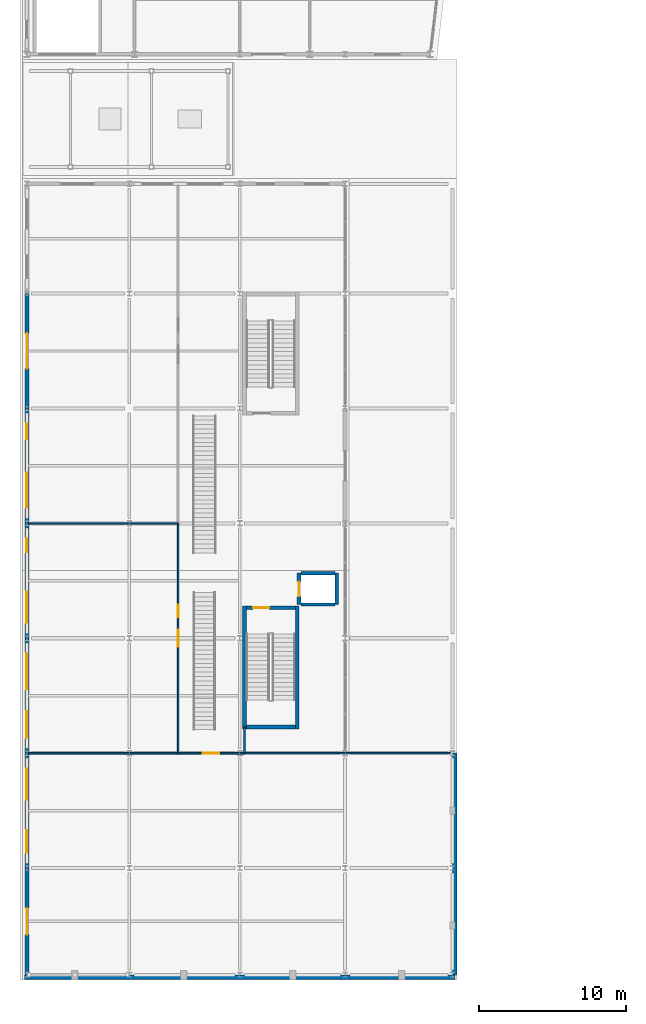
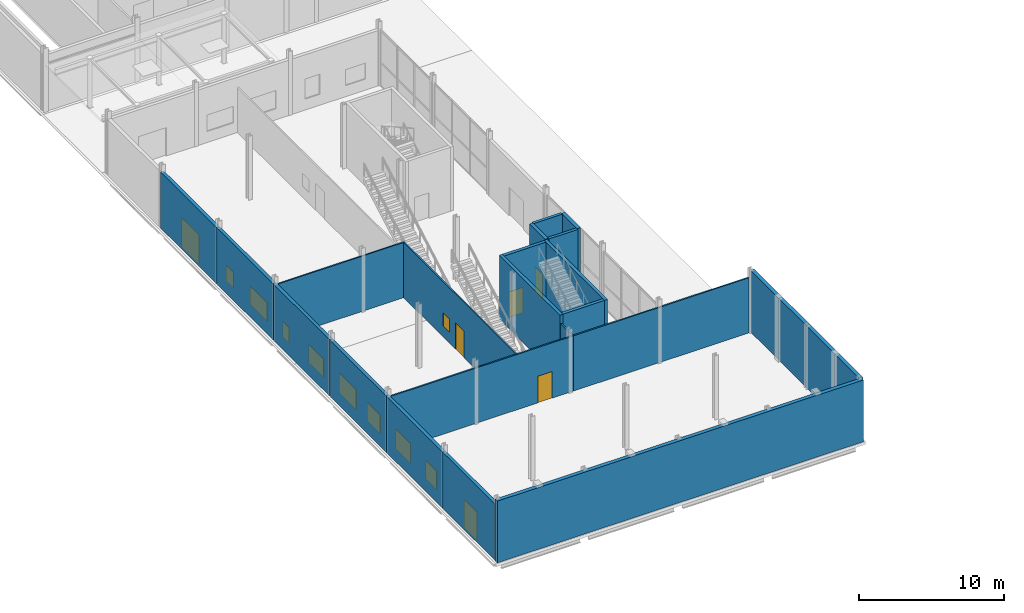
# One storey, part 63 of 83: 21 walls, 9 windows, 6 doors, 15 openings.
"""IFC4 building model written with IfcOpenShell, lengths in metres."""

from ifc_helpers import new_model, si_unit, direction, frame, frame_2d, origin, place, context, subcontext, project, spatial, rectangle, extrude, material, layer, layer_set, type_object, element, fill, save


model = new_model("IFC4")

# Units and contexts
model_context = context("Model", 3, precision=1e-05, world=origin(), true_north=direction((0.0, 1.0)))
body_context = subcontext(model_context, "Body", "Model", "MODEL_VIEW")
ifc_project = project(units=[si_unit("LENGTHUNIT", "METRE"), si_unit("AREAUNIT", "SQUARE_METRE"), si_unit("VOLUMEUNIT", "CUBIC_METRE"), si_unit("PLANEANGLEUNIT", "RADIAN"), si_unit("MASSUNIT", "GRAM", prefix="KILO")], contexts=[model_context])

# Site, building, storey
site_placement = place(None, origin())
site = spatial("IfcSite", under=ifc_project, at=site_placement, CompositionType="ELEMENT")
building_placement = place(site_placement, origin())
building = spatial("IfcBuilding", under=site, at=building_placement, Name="Quillay Park Conservatory", CompositionType="ELEMENT")
storey_placement = place(building_placement, origin())
storey = spatial("IfcBuildingStorey", under=building, at=storey_placement, Name="L00", CompositionType="ELEMENT", Elevation=0.0)

# Wall
ifc_material_1 = material(Name="Steel-Stud Acoustic Gypsum Board Partition", Category="steel")
ifc_layer_1 = layer(ifc_material_1, 0.10498046875)
ifc_layer_set_1 = layer_set([ifc_layer_1], Name="ACOUSTIC GYPSUM PARTITION 105 (Steel-Stud Acoustic Gypsum Board Partition)")
wall_type_1 = type_object("IfcWallType", Name="ACOUSTIC GYPSUM PARTITION 105", PredefinedType="PARTITIONING", material=ifc_layer_set_1)
wall_1_placement = place(storey_placement, frame((15.320068359375, 15.60009765625, 0.0), z_axis=(0.0, 0.0, 1.0), x_axis=(0.0, 1.0, 0.0)))
element("IfcWall", 1, at=wall_1_placement, inside=storey, type_object=wall_type_1, Name="L00 V3 Core South-West Closure", PredefinedType="PARTITIONING", context=body_context, shape_type="SweptSolid", body=[
    extrude(rectangle(XDim=1.77978515625, YDim=0.10498046875, at=frame_2d((0.889892578125, 0.0))), origin(), (0.0, 0.0, 1.0), 4.660888671875),
])

# Wall, openings, window, door
wall_2_placement = place(storey_placement, frame((10.820068359375, 15.60009765625, 0.0), z_axis=(0.0, 0.0, 1.0), x_axis=(0.0, 1.0, 0.0)))
wall_2 = element("IfcWall", 2, at=wall_2_placement, inside=storey, type_object=wall_type_1, Name="L00 Cafe East Wall", PredefinedType="PARTITIONING", context=body_context, shape_type="SweptSolid", body=[
    extrude(rectangle(XDim=15.599853515625, YDim=0.10498046875, at=frame_2d((7.7998046875, 0.0))), origin(), (0.0, 0.0, 1.0), 4.660888671875),
])
opening_1_placement = place(wall_2_placement, frame((7.2099609375, 0.0, 0.0)))
opening_1 = element("IfcOpeningElement", 3, at=opening_1_placement, cuts=wall_2, Name="Opening D-RM22", PredefinedType="OPENING", context=body_context, shape_type="SweptSolid", body=[
    extrude(rectangle(XDim=1.179931640625, YDim=2.25, at=frame_2d((0.58984375, 1.125))), frame((0.0, 0.052490234375, 0.0), z_axis=(0.0, -1.0, 0.0), x_axis=(1.0, 0.0, 0.0)), (0.0, 0.0, 1.0), 0.10498046875),
])
opening_2_placement = place(wall_2_placement, frame((9.239990234375, 0.0, 0.919921875)))
opening_2 = element("IfcOpeningElement", 4, at=opening_2_placement, cuts=wall_2, Name="Opening W-IN01", PredefinedType="OPENING", context=body_context, shape_type="SweptSolid", body=[
    extrude(rectangle(XDim=0.85009765625, YDim=1.10009765625, at=frame_2d((0.425048828125, 0.550048828125))), frame((0.0, 0.052490234375, 0.0), z_axis=(0.0, -1.0, 0.0), x_axis=(1.0, 0.0, 0.0)), (0.0, 0.0, 1.0), 0.10498046875),
])
ifc_material_2 = material(Name="Low-E Double Glazing (Laminated Tempered)", Category="glass")
window_type_1 = type_object("IfcWindowType", Name="OPERABLE VENT WINDOW 850 X1100", PartitioningType="SINGLE_PANEL", PredefinedType="WINDOW", material=ifc_material_2)
window_1_placement = place(opening_2_placement, origin())
window_1 = element("IfcWindow", 5, at=window_1_placement, inside=storey, type_object=window_type_1, Name="L00 Laboratory Vision Panel 001", OverallHeight=1.10009765625, OverallWidth=0.85009765625, PartitioningType="SINGLE_PANEL", PredefinedType="WINDOW", context=body_context, shape_type="SweptSolid", body=[
    extrude(rectangle(XDim=0.85009765625, YDim=1.10009765625, at=frame_2d((0.425048828125, 0.550048828125))), frame((0.0, 0.030029296875, 0.0), z_axis=(0.0, -1.0, 0.0), x_axis=(1.0, 0.0, 0.0)), (0.0, 0.0, 1.0), 0.06005859375),
])
fill(opening_2, window_1)
ifc_material_3 = material(Name="Thermally Broken Anodised Aluminium 6063-T6", Category="aluminium")
door_type_1 = type_object("IfcDoorType", Name="SINGLE SWING DOOR 1180 X2250", OperationType="NOTDEFINED", PredefinedType="DOOR", material=ifc_material_3)
door_1_placement = place(opening_1_placement, origin())
door_1 = element("IfcDoor", 6, at=door_1_placement, inside=storey, type_object=door_type_1, Name="L00 Door to Botanical Court Cafe", OperationType="SINGLE_SWING_RIGHT", OverallHeight=2.25, OverallWidth=1.179931640625, PredefinedType="DOOR", context=body_context, shape_type="SweptSolid", body=[
    extrude(rectangle(XDim=1.179931640625, YDim=2.25, at=frame_2d((0.58984375, 1.125))), frame((0.0, 0.02490234375, 0.0), z_axis=(0.0, -1.0, 0.0), x_axis=(1.0, 0.0, 0.0)), (0.0, 0.0, 1.0), 0.050048828125),
])
fill(opening_1, door_1)

# Walls
ifc_material_4 = material(Name="Steel-Stud Acoustic Gypsum Board Partition", Category="steel")
ifc_layer_2 = layer(ifc_material_4, 0.110107421875)
ifc_layer_set_2 = layer_set([ifc_layer_2], Name="ACOUSTIC GYPSUM PARTITION 110 (Steel-Stud Acoustic Gypsum Board Partition)")
wall_type_2 = type_object("IfcWallType", Name="ACOUSTIC GYPSUM PARTITION 110", PredefinedType="PARTITIONING", material=ifc_layer_set_2)
wall_3_placement = place(storey_placement, frame((0.64990234375, 31.199951171875, 0.0), z_axis=(0.0, 0.0, 1.0), x_axis=(1.0, 0.0, 0.0)))
element("IfcWall", 7, at=wall_3_placement, inside=storey, type_object=wall_type_2, Name="L00 Cafe-Arrival Divider", PredefinedType="PARTITIONING", context=body_context, shape_type="SweptSolid", body=[
    extrude(rectangle(XDim=10.170166015625, YDim=0.110107421875, at=frame_2d((5.0849609375, 0.0))), origin(), (0.0, 0.0, 1.0), 4.660888671875),
])
ifc_material_5 = material(Name="Steel-Stud Acoustic Gypsum Board Partition", Category="steel")
ifc_layer_3 = layer(ifc_material_5, 0.114990234375)
ifc_layer_set_3 = layer_set([ifc_layer_3], Name="ACOUSTIC GYPSUM PARTITION 115 (Steel-Stud Acoustic Gypsum Board Partition)")
wall_type_3 = type_object("IfcWallType", Name="ACOUSTIC GYPSUM PARTITION 115", PredefinedType="PARTITIONING", material=ifc_layer_set_3)
wall_4_placement = place(storey_placement, frame((29.300537109375, 15.60009765625, 0.0), z_axis=(0.0, 0.0, 1.0), x_axis=(-1.0, 0.0, 0.0)))
element("IfcWall", 8, at=wall_4_placement, inside=storey, type_object=wall_type_3, Name="L00 Shop North Wall E", PredefinedType="PARTITIONING", context=body_context, shape_type="SweptSolid", body=[
    extrude(rectangle(XDim=13.98046875, YDim=0.114990234375, at=frame_2d((6.990234375, 0.0))), origin(), (0.0, 0.0, 1.0), 4.660888671875),
])

# Wall, opening, door
ifc_material_6 = material(Name="Steel-Stud Acoustic Gypsum Board Partition", Category="steel")
ifc_layer_4 = layer(ifc_material_6, 0.1201171875)
ifc_layer_set_4 = layer_set([ifc_layer_4], Name="ACOUSTIC GYPSUM PARTITION 120 (Steel-Stud Acoustic Gypsum Board Partition)")
wall_type_4 = type_object("IfcWallType", Name="ACOUSTIC GYPSUM PARTITION 120", PredefinedType="PARTITIONING", material=ifc_layer_set_4)
wall_5_placement = place(storey_placement, frame((0.64990234375, 15.60009765625, 0.0), z_axis=(0.0, 0.0, 1.0), x_axis=(1.0, 0.0, 0.0)))
wall_5 = element("IfcWall", 9, at=wall_5_placement, inside=storey, type_object=wall_type_4, Name="L00 Shop North Wall W", PredefinedType="PARTITIONING", context=body_context, shape_type="SweptSolid", body=[
    extrude(rectangle(XDim=14.670166015625, YDim=0.1201171875, at=frame_2d((7.3349609375, 0.0))), origin(), (0.0, 0.0, 1.0), 4.660888671875),
])
opening_3_placement = place(wall_5_placement, frame((11.840087890625, 0.0, 0.0)))
opening_3 = element("IfcOpeningElement", 10, at=opening_3_placement, cuts=wall_5, Name="Opening D-RM21", PredefinedType="OPENING", context=body_context, shape_type="SweptSolid", body=[
    extrude(rectangle(XDim=1.1201171875, YDim=2.25, at=frame_2d((0.56005859375, 1.125))), frame((0.0, 0.06005859375, 0.0), z_axis=(0.0, -1.0, 0.0), x_axis=(1.0, 0.0, 0.0)), (0.0, 0.0, 1.0), 0.1201171875),
])
ifc_material_7 = material(Name="Thermally Broken Anodised Aluminium 6063-T6", Category="aluminium")
door_type_2 = type_object("IfcDoorType", Name="SINGLE SWING DOOR 1120 X2250", OperationType="NOTDEFINED", PredefinedType="DOOR", material=ifc_material_7)
door_2_placement = place(opening_3_placement, origin())
door_2 = element("IfcDoor", 11, at=door_2_placement, inside=storey, type_object=door_type_2, Name="L00 Door to Park Botanical Shop", OperationType="SINGLE_SWING_LEFT", OverallHeight=2.25, OverallWidth=1.1201171875, PredefinedType="DOOR", context=body_context, shape_type="SweptSolid", body=[
    extrude(rectangle(XDim=1.1201171875, YDim=2.25, at=frame_2d((0.56005859375, 1.125))), frame((0.0, 0.02490234375, 0.0), z_axis=(0.0, -1.0, 0.0), x_axis=(1.0, 0.0, 0.0)), (0.0, 0.0, 1.0), 0.050048828125),
])
fill(opening_3, door_2)

# Walls
ifc_material_8 = material(Name="Concrete C35/45 (NCh170 Concrete C35/45)", Category="concrete")
ifc_layer_5 = layer(ifc_material_8, 0.22509765625)
ifc_layer_set_5 = layer_set([ifc_layer_5], Name="CORE SHEAR WALL 225 (Concrete C35/45 (NCh170 Concrete C35/45))")
wall_type_5 = type_object("IfcWallType", Name="CORE SHEAR WALL 225", PredefinedType="SHEAR", material=ifc_layer_set_5)
for number, where, z_axis, x_axis, name in (
    (12, (19.14990234375, 25.6875, 0.0), (0.0, 0.0, 1.0), (1.0, 0.0, 0.0), "L00 Core Shear Wall WL-LFV1S-L00"),
    (13, (19.14990234375, 27.8125, 0.0), (0.0, 0.0, 1.0), (1.0, 0.0, 0.0), "L00 Core Shear Wall WL-LFV1N-L00"),
):
    element("IfcWall", number, at=place(storey_placement, frame(where, z_axis=z_axis, x_axis=x_axis)), inside=storey, type_object=wall_type_5, Name=name, PredefinedType="SHEAR", context=body_context, shape_type="SweptSolid", body=[
        extrude(rectangle(XDim=2.300048828125, YDim=0.22509765625, at=frame_2d((1.14990234375, 0.0))), origin(), (0.0, 0.0, 1.0), 5.39990234375),
    ])
ifc_material_9 = material(Name="Concrete C40/50 (NCh170 Concrete C40/50)", Category="concrete")
ifc_layer_6 = layer(ifc_material_9, 0.25)
ifc_layer_set_6 = layer_set([ifc_layer_6], Name="CORE SHEAR WALL 250 (Concrete C40/50 (NCh170 Concrete C40/50))")
wall_type_6 = type_object("IfcWallType", Name="CORE SHEAR WALL 250", PredefinedType="SHEAR", material=ifc_layer_set_6)
for number, where, z_axis, x_axis, name in (
    (14, (15.324951171875, 17.25, 0.0), (0.0, 0.0, 1.0), (0.0, 1.0, 0.0), "L00 Core Shear Wall WL-V1W-L00"),
    (15, (18.89501953125, 17.25, 0.0), (0.0, 0.0, 1.0), (0.0, 1.0, 0.0), "L00 Core Shear Wall WL-V1E-L00"),
):
    element("IfcWall", number, at=place(storey_placement, frame(where, z_axis=z_axis, x_axis=x_axis)), inside=storey, type_object=wall_type_6, Name=name, PredefinedType="SHEAR", context=body_context, shape_type="SweptSolid", body=[
        extrude(rectangle(XDim=8.35009765625, YDim=0.25, at=frame_2d((4.175048828125, 0.0))), origin(), (0.0, 0.0, 1.0), 5.39990234375),
    ])
wall_6_placement = place(storey_placement, frame((15.449951171875, 17.375, 0.0), z_axis=(0.0, 0.0, 1.0), x_axis=(1.0, 0.0, 0.0)))
element("IfcWall", 16, at=wall_6_placement, inside=storey, type_object=wall_type_6, Name="L00 Core Shear Wall WL-V1S-L00", PredefinedType="SHEAR", context=body_context, shape_type="SweptSolid", body=[
    extrude(rectangle(XDim=3.320068359375, YDim=0.25, at=frame_2d((1.66015625, 0.0))), origin(), (0.0, 0.0, 1.0), 5.39990234375),
])

# Wall, opening, door
wall_7_placement = place(storey_placement, frame((15.449951171875, 25.47509765625, 0.0), z_axis=(0.0, 0.0, 1.0), x_axis=(1.0, 0.0, 0.0)))
wall_7 = element("IfcWall", 17, at=wall_7_placement, inside=storey, type_object=wall_type_6, Name="L00 Core Shear Wall WL-V1D-L00", PredefinedType="SHEAR", context=body_context, shape_type="SweptSolid", body=[
    extrude(rectangle(XDim=3.320068359375, YDim=0.25, at=frame_2d((1.66015625, 0.0))), origin(), (0.0, 0.0, 1.0), 5.39990234375),
])
opening_4_placement = place(wall_7_placement, frame((0.449951171875, 0.0, 0.0)))
opening_4 = element("IfcOpeningElement", 18, at=opening_4_placement, cuts=wall_7, Name="Opening D-ST01", PredefinedType="OPENING", context=body_context, shape_type="SweptSolid", body=[
    extrude(rectangle(XDim=1.10009765625, YDim=2.14990234375, at=frame_2d((0.550048828125, 1.074951171875))), frame((0.0, 0.125, 0.0), z_axis=(0.0, -1.0, 0.0), x_axis=(1.0, 0.0, 0.0)), (0.0, 0.0, 1.0), 0.25),
])
ifc_material_10 = material(Name="Steel ASTM A572 Grade 50", Category="steel")
door_type_3 = type_object("IfcDoorType", Name="FIRE RATED STAIR DOOR 1100 X2150", OperationType="NOTDEFINED", PredefinedType="DOOR", material=ifc_material_10)
door_3_placement = place(opening_4_placement, origin())
door_3 = element("IfcDoor", 19, at=door_3_placement, inside=storey, type_object=door_type_3, Name="L00 Visitor Stair ST-V1 Door", OperationType="SINGLE_SWING_LEFT", OverallHeight=2.14990234375, OverallWidth=1.10009765625, PredefinedType="DOOR", context=body_context, shape_type="SweptSolid", body=[
    extrude(rectangle(XDim=1.10009765625, YDim=2.14990234375, at=frame_2d((0.550048828125, 1.074951171875))), frame((0.0, 0.02490234375, 0.0), z_axis=(0.0, -1.0, 0.0), x_axis=(1.0, 0.0, 0.0)), (0.0, 0.0, 1.0), 0.050048828125),
])
fill(opening_4, door_3)

# Wall
wall_8_placement = place(storey_placement, frame((21.574951171875, 25.675048828125, 0.0), z_axis=(0.0, 0.0, 1.0), x_axis=(0.0, 1.0, 0.0)))
element("IfcWall", 20, at=wall_8_placement, inside=storey, type_object=wall_type_6, Name="L00 Core Shear Wall WL-LFV1B-L00", PredefinedType="SHEAR", context=body_context, shape_type="SweptSolid", body=[
    extrude(rectangle(XDim=2.14990234375, YDim=0.25, at=frame_2d((1.074951171875, 0.0))), origin(), (0.0, 0.0, 1.0), 5.39990234375),
])

# Wall, opening, door
wall_9_placement = place(storey_placement, frame((19.02490234375, 25.675048828125, 0.0), z_axis=(0.0, 0.0, 1.0), x_axis=(0.0, 1.0, 0.0)))
wall_9 = element("IfcWall", 21, at=wall_9_placement, inside=storey, type_object=wall_type_6, Name="L00 Core Shear Wall WL-LFV1F-L00", PredefinedType="SHEAR", context=body_context, shape_type="SweptSolid", body=[
    extrude(rectangle(XDim=2.14990234375, YDim=0.25, at=frame_2d((1.074951171875, 0.0))), origin(), (0.0, 0.0, 1.0), 5.39990234375),
])
opening_5_placement = place(wall_9_placement, frame((0.574951171875, 0.0, 0.0)))
opening_5 = element("IfcOpeningElement", 22, at=opening_5_placement, cuts=wall_9, Name="Opening LD04", PredefinedType="OPENING", context=body_context, shape_type="SweptSolid", body=[
    extrude(rectangle(XDim=1.0, YDim=2.10009765625, at=frame_2d((0.5, 1.050048828125))), frame((0.0, 0.125, 0.0), z_axis=(0.0, -1.0, 0.0), x_axis=(1.0, 0.0, 0.0)), (0.0, 0.0, 1.0), 0.25),
])
ifc_material_11 = material(Name="Steel ASTM A572 Grade 50", Category="steel")
door_type_4 = type_object("IfcDoorType", Name="LIFT LANDING SLIDING DOOR 1000 X2100", OperationType="NOTDEFINED", PredefinedType="DOOR", material=ifc_material_11)
door_4_placement = place(opening_5_placement, origin())
door_4 = element("IfcDoor", 23, at=door_4_placement, inside=storey, type_object=door_type_4, Name="L00 LF-V1 Lift Landing Door LD04", OperationType="SLIDING_TO_LEFT", OverallHeight=2.10009765625, OverallWidth=1.0, PredefinedType="DOOR", context=body_context, shape_type="SweptSolid", body=[
    extrude(rectangle(XDim=1.0, YDim=2.10009765625, at=frame_2d((0.5, 1.050048828125))), frame((0.0, 0.02490234375, 0.0), z_axis=(0.0, -1.0, 0.0), x_axis=(1.0, 0.0, 0.0)), (0.0, 0.0, 1.0), 0.050048828125),
])
fill(opening_5, door_4)

ifc_material_12 = material(Name="Glass-Fibre Reinforced Concrete (GRC) Cladding", Category="concrete")
ifc_layer_7 = layer(ifc_material_12, 0.260009765625)
ifc_layer_set_7 = layer_set([ifc_layer_7], Name="EXTERIOR SOLID WALL 260 (Glass-Fibre Reinforced Concrete (GRC) Cladding)")
wall_type_7 = type_object("IfcWallType", Name="EXTERIOR SOLID WALL 260", PredefinedType="SOLIDWALL", material=ifc_layer_set_7)
wall_10_placement = place(storey_placement, frame((0.550048828125, 0.550048828125, 0.0), z_axis=(0.0, 0.0, 1.0), x_axis=(0.0, 1.0, 0.0)))
wall_10 = element("IfcWall", 24, at=wall_10_placement, inside=storey, type_object=wall_type_7, Name="L00 External Wall WL-EXT-V3W-L00-0", PredefinedType="SOLIDWALL", context=body_context, shape_type="SweptSolid", body=[
    extrude(rectangle(XDim=7.25, YDim=0.260009765625, at=frame_2d((3.625, 0.0))), origin(), (0.0, 0.0, 1.0), 4.737060546875),
])
opening_6_placement = place(wall_10_placement, frame((2.72509765625, 0.0, 0.0)))
opening_6 = element("IfcOpeningElement", 25, at=opening_6_placement, cuts=wall_10, Name="Opening D-EX01", PredefinedType="OPENING", context=body_context, shape_type="SweptSolid", body=[
    extrude(rectangle(XDim=1.800048828125, YDim=2.39990234375, at=frame_2d((0.89990234375, 1.199951171875))), frame((0.0, 0.1298828125, 0.0), z_axis=(0.0, -1.0, 0.0), x_axis=(1.0, 0.0, 0.0)), (0.0, 0.0, 1.0), 0.260009765625),
])
ifc_material_13 = material(Name="Thermally Broken Anodised Aluminium 6063-T6", Category="aluminium")
door_type_5 = type_object("IfcDoorType", Name="PEDESTRIAN EXIT DOOR 1800 X2400", OperationType="NOTDEFINED", PredefinedType="DOOR", material=ifc_material_13)
door_5_placement = place(opening_6_placement, origin())
door_5 = element("IfcDoor", 26, at=door_5_placement, inside=storey, type_object=door_type_5, Name="Final Pedestrian Exit D-EX01", OperationType="DOUBLE_DOOR_SINGLE_SWING", OverallHeight=2.39990234375, OverallWidth=1.800048828125, PredefinedType="DOOR", context=body_context, shape_type="SweptSolid", body=[
    extrude(rectangle(XDim=1.800048828125, YDim=2.39990234375, at=frame_2d((0.89990234375, 1.199951171875))), frame((0.0, 0.02490234375, 0.0), z_axis=(0.0, -1.0, 0.0), x_axis=(1.0, 0.0, 0.0)), (0.0, 0.0, 1.0), 0.050048828125),
])
fill(opening_6, door_5)

# Wall, openings, windows
wall_11_placement = place(storey_placement, frame((0.550048828125, 7.800048828125, 0.0), z_axis=(0.0, 0.0, 1.0), x_axis=(0.0, 1.0, 0.0)))
wall_11 = element("IfcWall", 27, at=wall_11_placement, inside=storey, type_object=wall_type_7, Name="L00 External Wall WL-EXT-V3W-L00-1", PredefinedType="SOLIDWALL", context=body_context, shape_type="SweptSolid", body=[
    extrude(rectangle(XDim=7.800048828125, YDim=0.260009765625, at=frame_2d((3.89990234375, 0.0))), origin(), (0.0, 0.0, 1.0), 4.737060546875),
])
opening_7_placement = place(wall_11_placement, frame((1.050048828125, 0.0, 0.919921875)))
opening_7 = element("IfcOpeningElement", 28, at=opening_7_placement, cuts=wall_11, Name="Opening W-08", PredefinedType="OPENING", context=body_context, shape_type="SweptSolid", body=[
    extrude(rectangle(XDim=1.5, YDim=1.550048828125, at=frame_2d((0.75, 0.77490234375))), frame((0.0, 0.1298828125, 0.0), z_axis=(0.0, -1.0, 0.0), x_axis=(1.0, 0.0, 0.0)), (0.0, 0.0, 1.0), 0.260009765625),
])
opening_8_placement = place(wall_11_placement, frame((4.64990234375, 0.0, 0.919921875)))
opening_8 = element("IfcOpeningElement", 29, at=opening_8_placement, cuts=wall_11, Name="Opening W-15", PredefinedType="OPENING", context=body_context, shape_type="SweptSolid", body=[
    extrude(rectangle(XDim=2.10009765625, YDim=1.699951171875, at=frame_2d((1.050048828125, 0.85009765625))), frame((0.0, 0.1298828125, 0.0), z_axis=(0.0, -1.0, 0.0), x_axis=(1.0, 0.0, 0.0)), (0.0, 0.0, 1.0), 0.260009765625),
])
ifc_material_14 = material(Name="Low-E Double Glazing (Laminated Tempered)", Category="glass")
window_type_2 = type_object("IfcWindowType", Name="FIXED CASEMENT WINDOW 1500 X1550", PartitioningType="SINGLE_PANEL", PredefinedType="WINDOW", material=ifc_material_14)
window_2_placement = place(opening_7_placement, origin())
window_2 = element("IfcWindow", 30, at=window_2_placement, inside=storey, type_object=window_type_2, Name="L00 Exterior Window 0001", OverallHeight=1.550048828125, OverallWidth=1.5, PartitioningType="SINGLE_PANEL", PredefinedType="WINDOW", context=body_context, shape_type="SweptSolid", body=[
    extrude(rectangle(XDim=1.5, YDim=1.550048828125, at=frame_2d((0.75, 0.77490234375))), frame((0.0, 0.030029296875, 0.0), z_axis=(0.0, -1.0, 0.0), x_axis=(1.0, 0.0, 0.0)), (0.0, 0.0, 1.0), 0.06005859375),
])
fill(opening_7, window_2)
ifc_material_15 = material(Name="Low-E Double Glazing (Laminated Tempered)", Category="glass")
window_type_3 = type_object("IfcWindowType", Name="FIXED CASEMENT WINDOW 2100 X1700", PartitioningType="DOUBLE_PANEL_VERTICAL", PredefinedType="WINDOW", material=ifc_material_15)
window_3_placement = place(opening_8_placement, origin())
window_3 = element("IfcWindow", 31, at=window_3_placement, inside=storey, type_object=window_type_3, Name="L00 Exterior Window 0002", OverallHeight=1.699951171875, OverallWidth=2.10009765625, PartitioningType="DOUBLE_PANEL_VERTICAL", PredefinedType="WINDOW", context=body_context, shape_type="SweptSolid", body=[
    extrude(rectangle(XDim=2.10009765625, YDim=1.699951171875, at=frame_2d((1.050048828125, 0.85009765625))), frame((0.0, 0.030029296875, 0.0), z_axis=(0.0, -1.0, 0.0), x_axis=(1.0, 0.0, 0.0)), (0.0, 0.0, 1.0), 0.06005859375),
])
fill(opening_8, window_3)

wall_12_placement = place(storey_placement, frame((0.550048828125, 15.60009765625, 0.0), z_axis=(0.0, 0.0, 1.0), x_axis=(0.0, 1.0, 0.0)))
wall_12 = element("IfcWall", 32, at=wall_12_placement, inside=storey, type_object=wall_type_7, Name="L00 External Wall WL-EXT-V3W-L00-2", PredefinedType="SOLIDWALL", context=body_context, shape_type="SweptSolid", body=[
    extrude(rectangle(XDim=7.7998046875, YDim=0.260009765625, at=frame_2d((3.89990234375, 0.0))), origin(), (0.0, 0.0, 1.0), 4.737060546875),
])
opening_9_placement = place(wall_12_placement, frame((1.050048828125, 0.0, 0.919921875)))
opening_9 = element("IfcOpeningElement", 33, at=opening_9_placement, cuts=wall_12, Name="Opening W-09", PredefinedType="OPENING", context=body_context, shape_type="SweptSolid", body=[
    extrude(rectangle(XDim=1.800048828125, YDim=1.550048828125, at=frame_2d((0.89990234375, 0.77490234375))), frame((0.0, 0.1298828125, 0.0), z_axis=(0.0, -1.0, 0.0), x_axis=(1.0, 0.0, 0.0)), (0.0, 0.0, 1.0), 0.260009765625),
])
opening_10_placement = place(wall_12_placement, frame((4.35009765625, 0.0, 0.919921875)))
opening_10 = element("IfcOpeningElement", 34, at=opening_10_placement, cuts=wall_12, Name="Opening W-16", PredefinedType="OPENING", context=body_context, shape_type="SweptSolid", body=[
    extrude(rectangle(XDim=2.39990234375, YDim=1.699951171875, at=frame_2d((1.199951171875, 0.85009765625))), frame((0.0, 0.1298828125, 0.0), z_axis=(0.0, -1.0, 0.0), x_axis=(1.0, 0.0, 0.0)), (0.0, 0.0, 1.0), 0.260009765625),
])
ifc_material_16 = material(Name="Low-E Double Glazing (Laminated Tempered)", Category="glass")
window_type_4 = type_object("IfcWindowType", Name="FIXED CASEMENT WINDOW 1800 X1550", PartitioningType="DOUBLE_PANEL_VERTICAL", PredefinedType="WINDOW", material=ifc_material_16)
window_4_placement = place(opening_9_placement, origin())
window_4 = element("IfcWindow", 35, at=window_4_placement, inside=storey, type_object=window_type_4, Name="L00 Exterior Window 0003", OverallHeight=1.550048828125, OverallWidth=1.800048828125, PartitioningType="DOUBLE_PANEL_VERTICAL", PredefinedType="WINDOW", context=body_context, shape_type="SweptSolid", body=[
    extrude(rectangle(XDim=1.800048828125, YDim=1.550048828125, at=frame_2d((0.89990234375, 0.77490234375))), frame((0.0, 0.030029296875, 0.0), z_axis=(0.0, -1.0, 0.0), x_axis=(1.0, 0.0, 0.0)), (0.0, 0.0, 1.0), 0.06005859375),
])
fill(opening_9, window_4)
ifc_material_17 = material(Name="Low-E Double Glazing (Laminated Tempered)", Category="glass")
window_type_5 = type_object("IfcWindowType", Name="FIXED CASEMENT WINDOW 2400 X1700", PartitioningType="DOUBLE_PANEL_VERTICAL", PredefinedType="WINDOW", material=ifc_material_17)
window_5_placement = place(opening_10_placement, origin())
window_5 = element("IfcWindow", 36, at=window_5_placement, inside=storey, type_object=window_type_5, Name="L00 Exterior Window 0004", OverallHeight=1.699951171875, OverallWidth=2.39990234375, PartitioningType="DOUBLE_PANEL_VERTICAL", PredefinedType="WINDOW", context=body_context, shape_type="SweptSolid", body=[
    extrude(rectangle(XDim=2.39990234375, YDim=1.699951171875, at=frame_2d((1.199951171875, 0.85009765625))), frame((0.0, 0.030029296875, 0.0), z_axis=(0.0, -1.0, 0.0), x_axis=(1.0, 0.0, 0.0)), (0.0, 0.0, 1.0), 0.06005859375),
])
fill(opening_10, window_5)

wall_13_placement = place(storey_placement, frame((0.550048828125, 23.39990234375, 0.0), z_axis=(0.0, 0.0, 1.0), x_axis=(0.0, 1.0, 0.0)))
wall_13 = element("IfcWall", 37, at=wall_13_placement, inside=storey, type_object=wall_type_7, Name="L00 External Wall WL-EXT-V3W-L00-3", PredefinedType="SOLIDWALL", context=body_context, shape_type="SweptSolid", body=[
    extrude(rectangle(XDim=7.800048828125, YDim=0.260009765625, at=frame_2d((3.89990234375, 0.0))), origin(), (0.0, 0.0, 1.0), 4.737060546875),
])
opening_11_placement = place(wall_13_placement, frame((1.050048828125, 0.0, 0.919921875)))
opening_11 = element("IfcOpeningElement", 38, at=opening_11_placement, cuts=wall_13, Name="Opening W-10", PredefinedType="OPENING", context=body_context, shape_type="SweptSolid", body=[
    extrude(rectangle(XDim=2.10009765625, YDim=1.550048828125, at=frame_2d((1.050048828125, 0.77490234375))), frame((0.0, 0.1298828125, 0.0), z_axis=(0.0, -1.0, 0.0), x_axis=(1.0, 0.0, 0.0)), (0.0, 0.0, 1.0), 0.260009765625),
])
opening_12_placement = place(wall_13_placement, frame((5.85009765625, 0.0, 0.919921875)))
opening_12 = element("IfcOpeningElement", 39, at=opening_12_placement, cuts=wall_13, Name="Opening W-17", PredefinedType="OPENING", context=body_context, shape_type="SweptSolid", body=[
    extrude(rectangle(XDim=0.89990234375, YDim=1.300048828125, at=frame_2d((0.449951171875, 0.64990234375))), frame((0.0, 0.1298828125, 0.0), z_axis=(0.0, -1.0, 0.0), x_axis=(1.0, 0.0, 0.0)), (0.0, 0.0, 1.0), 0.260009765625),
])
ifc_material_18 = material(Name="Low-E Double Glazing (Laminated Tempered)", Category="glass")
window_type_6 = type_object("IfcWindowType", Name="FIXED CASEMENT WINDOW 2100 X1550", PartitioningType="DOUBLE_PANEL_VERTICAL", PredefinedType="WINDOW", material=ifc_material_18)
window_6_placement = place(opening_11_placement, origin())
window_6 = element("IfcWindow", 40, at=window_6_placement, inside=storey, type_object=window_type_6, Name="L00 Exterior Window 0005", OverallHeight=1.550048828125, OverallWidth=2.10009765625, PartitioningType="DOUBLE_PANEL_VERTICAL", PredefinedType="WINDOW", context=body_context, shape_type="SweptSolid", body=[
    extrude(rectangle(XDim=2.10009765625, YDim=1.550048828125, at=frame_2d((1.050048828125, 0.77490234375))), frame((0.0, 0.030029296875, 0.0), z_axis=(0.0, -1.0, 0.0), x_axis=(1.0, 0.0, 0.0)), (0.0, 0.0, 1.0), 0.06005859375),
])
fill(opening_11, window_6)
ifc_material_19 = material(Name="Low-E Double Glazing (Laminated Tempered)", Category="glass")
window_type_7 = type_object("IfcWindowType", Name="FIXED CASEMENT WINDOW 900 X1300", PartitioningType="SINGLE_PANEL", PredefinedType="WINDOW", material=ifc_material_19)
window_7_placement = place(opening_12_placement, origin())
window_7 = element("IfcWindow", 41, at=window_7_placement, inside=storey, type_object=window_type_7, Name="L00 Exterior Window 0006", OverallHeight=1.300048828125, OverallWidth=0.89990234375, PartitioningType="SINGLE_PANEL", PredefinedType="WINDOW", context=body_context, shape_type="SweptSolid", body=[
    extrude(rectangle(XDim=0.89990234375, YDim=1.300048828125, at=frame_2d((0.449951171875, 0.64990234375))), frame((0.0, 0.030029296875, 0.0), z_axis=(0.0, -1.0, 0.0), x_axis=(1.0, 0.0, 0.0)), (0.0, 0.0, 1.0), 0.06005859375),
])
fill(opening_12, window_7)

wall_14_placement = place(storey_placement, frame((0.550048828125, 31.199951171875, 0.0), z_axis=(0.0, 0.0, 1.0), x_axis=(0.0, 1.0, 0.0)))
wall_14 = element("IfcWall", 42, at=wall_14_placement, inside=storey, type_object=wall_type_7, Name="L00 External Wall WL-EXT-V3W-L00-4", PredefinedType="SOLIDWALL", context=body_context, shape_type="SweptSolid", body=[
    extrude(rectangle(XDim=7.800048828125, YDim=0.260009765625, at=frame_2d((3.89990234375, 0.0))), origin(), (0.0, 0.0, 1.0), 4.737060546875),
])
opening_13_placement = place(wall_14_placement, frame((1.050048828125, 0.0, 0.919921875)))
opening_13 = element("IfcOpeningElement", 43, at=opening_13_placement, cuts=wall_14, Name="Opening W-11", PredefinedType="OPENING", context=body_context, shape_type="SweptSolid", body=[
    extrude(rectangle(XDim=2.39990234375, YDim=1.550048828125, at=frame_2d((1.199951171875, 0.77490234375))), frame((0.0, 0.1298828125, 0.0), z_axis=(0.0, -1.0, 0.0), x_axis=(1.0, 0.0, 0.0)), (0.0, 0.0, 1.0), 0.260009765625),
])
opening_14_placement = place(wall_14_placement, frame((5.699951171875, 0.0, 0.919921875)))
opening_14 = element("IfcOpeningElement", 44, at=opening_14_placement, cuts=wall_14, Name="Opening W-18", PredefinedType="OPENING", context=body_context, shape_type="SweptSolid", body=[
    extrude(rectangle(XDim=1.050048828125, YDim=1.300048828125, at=frame_2d((0.52490234375, 0.64990234375))), frame((0.0, 0.1298828125, 0.0), z_axis=(0.0, -1.0, 0.0), x_axis=(1.0, 0.0, 0.0)), (0.0, 0.0, 1.0), 0.260009765625),
])
ifc_material_20 = material(Name="Low-E Double Glazing (Laminated Tempered)", Category="glass")
window_type_8 = type_object("IfcWindowType", Name="FIXED CASEMENT WINDOW 1050 X1300", PartitioningType="SINGLE_PANEL", PredefinedType="WINDOW", material=ifc_material_20)
window_8_placement = place(opening_14_placement, origin())
window_8 = element("IfcWindow", 45, at=window_8_placement, inside=storey, type_object=window_type_8, Name="L00 Exterior Window 0008", OverallHeight=1.300048828125, OverallWidth=1.050048828125, PartitioningType="SINGLE_PANEL", PredefinedType="WINDOW", context=body_context, shape_type="SweptSolid", body=[
    extrude(rectangle(XDim=1.050048828125, YDim=1.300048828125, at=frame_2d((0.52490234375, 0.64990234375))), frame((0.0, 0.030029296875, 0.0), z_axis=(0.0, -1.0, 0.0), x_axis=(1.0, 0.0, 0.0)), (0.0, 0.0, 1.0), 0.06005859375),
])
fill(opening_14, window_8)
ifc_material_21 = material(Name="Low-E Double Glazing (Laminated Tempered)", Category="glass")
window_type_9 = type_object("IfcWindowType", Name="FIXED CASEMENT WINDOW 2400 X1550", PartitioningType="DOUBLE_PANEL_VERTICAL", PredefinedType="WINDOW", material=ifc_material_21)
window_9_placement = place(opening_13_placement, origin())
window_9 = element("IfcWindow", 46, at=window_9_placement, inside=storey, type_object=window_type_9, Name="L00 Exterior Window 0007", OverallHeight=1.550048828125, OverallWidth=2.39990234375, PartitioningType="DOUBLE_PANEL_VERTICAL", PredefinedType="WINDOW", context=body_context, shape_type="SweptSolid", body=[
    extrude(rectangle(XDim=2.39990234375, YDim=1.550048828125, at=frame_2d((1.199951171875, 0.77490234375))), frame((0.0, 0.030029296875, 0.0), z_axis=(0.0, -1.0, 0.0), x_axis=(1.0, 0.0, 0.0)), (0.0, 0.0, 1.0), 0.06005859375),
])
fill(opening_13, window_9)

# Wall, opening, door
wall_15_placement = place(storey_placement, frame((0.550048828125, 39.0, 0.0), z_axis=(0.0, 0.0, 1.0), x_axis=(0.0, 1.0, 0.0)))
wall_15 = element("IfcWall", 47, at=wall_15_placement, inside=storey, type_object=wall_type_7, Name="L00 External Wall WL-EXT-V3W-L00-5", PredefinedType="SOLIDWALL", context=body_context, shape_type="SweptSolid", body=[
    extrude(rectangle(XDim=7.800048828125, YDim=0.260009765625, at=frame_2d((3.89990234375, 0.0))), origin(), (0.0, 0.0, 1.0), 4.737060546875),
])
opening_15_placement = place(wall_15_placement, frame((2.699951171875, 0.0, 0.0)))
opening_15 = element("IfcOpeningElement", 48, at=opening_15_placement, cuts=wall_15, Name="Opening D-EX02", PredefinedType="OPENING", context=body_context, shape_type="SweptSolid", body=[
    extrude(rectangle(XDim=2.39990234375, YDim=2.5, at=frame_2d((1.199951171875, 1.25))), frame((0.0, 0.1298828125, 0.0), z_axis=(0.0, -1.0, 0.0), x_axis=(1.0, 0.0, 0.0)), (0.0, 0.0, 1.0), 0.260009765625),
])
ifc_material_22 = material(Name="Thermally Broken Anodised Aluminium 6063-T6", Category="aluminium")
door_type_6 = type_object("IfcDoorType", Name="PEDESTRIAN EXIT DOOR 2400 X2500", OperationType="NOTDEFINED", PredefinedType="DOOR", material=ifc_material_22)
door_6_placement = place(opening_15_placement, origin())
door_6 = element("IfcDoor", 49, at=door_6_placement, inside=storey, type_object=door_type_6, Name="Main Pedestrian Entrance D-EX02", OperationType="DOUBLE_DOOR_SINGLE_SWING", OverallHeight=2.5, OverallWidth=2.39990234375, PredefinedType="DOOR", context=body_context, shape_type="SweptSolid", body=[
    extrude(rectangle(XDim=2.39990234375, YDim=2.5, at=frame_2d((1.199951171875, 1.25))), frame((0.0, 0.02490234375, 0.0), z_axis=(0.0, -1.0, 0.0), x_axis=(1.0, 0.0, 0.0)), (0.0, 0.0, 1.0), 0.050048828125),
])
fill(opening_15, door_6)

# Walls
ifc_material_23 = material(Name="Concrete C35/45 (NCh170 Concrete C35/45)", Category="concrete")
ifc_layer_8 = layer(ifc_material_23, 0.300048828125)
ifc_layer_set_8 = layer_set([ifc_layer_8], Name="SOLID FIREWALL 300 (Concrete C35/45 (NCh170 Concrete C35/45))")
wall_type_8 = type_object("IfcWallType", Name="SOLID FIREWALL 300", PredefinedType="SOLIDWALL", material=ifc_layer_set_8)
wall_16_placement = place(storey_placement, frame((29.60009765625, 0.39990234375, 0.0), z_axis=(0.0, 0.0, 1.0), x_axis=(-1.0, 0.0, 0.0)))
element("IfcWall", 50, at=wall_16_placement, inside=storey, type_object=wall_type_8, Name="L00 South Party Firewall", PredefinedType="SOLIDWALL", context=body_context, shape_type="SweptSolid", body=[
    extrude(rectangle(XDim=29.2001953125, YDim=0.300048828125, at=frame_2d((14.60009765625, 0.0))), origin(), (0.0, 0.0, 1.0), 5.2099609375),
])
wall_17_placement = place(storey_placement, frame((29.60009765625, 15.60009765625, 0.0), z_axis=(0.0, 0.0, 1.0), x_axis=(0.0, -1.0, 0.0)))
element("IfcWall", 51, at=wall_17_placement, inside=storey, type_object=wall_type_8, Name="L00 Inner-East Party Firewall", PredefinedType="SOLIDWALL", context=body_context, shape_type="SweptSolid", body=[
    extrude(rectangle(XDim=15.050048828125, YDim=0.300048828125, at=frame_2d((7.52490234375, 0.0))), origin(), (0.0, 0.0, 1.0), 5.2099609375),
])

save(model, "model.ifc")
